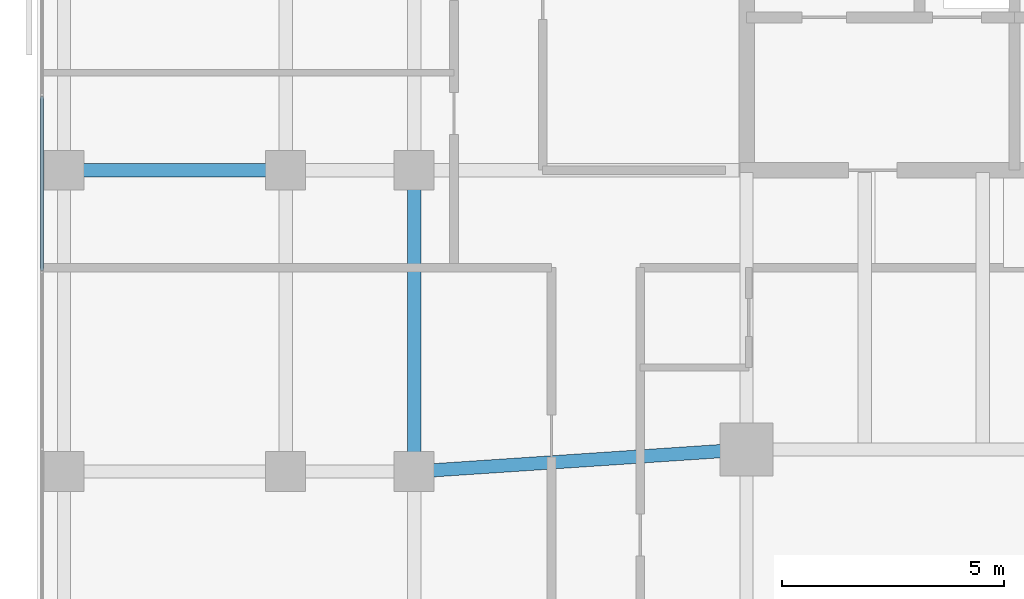
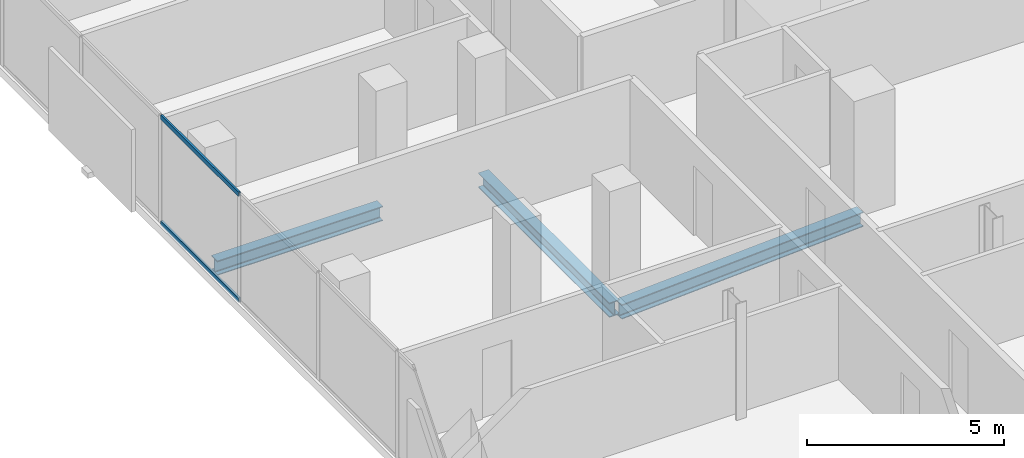
# One storey, part 10 of 34: 3 beams, 2 members, 1 element without a shape of its own.
"""IFC4 building model written with IfcOpenShell, lengths in metres."""

import ifcopenshell
import ifcopenshell.guid

model = None  # the IFC model being written
_history = None  # IfcOwnerHistory: only IFC2X3 demands one
_inside = {}  # id of a spatial element -> (the spatial element, [elements in it])
_under = {}  # id of a project, library or spatial element -> (it, [spatial elements below it])
_declared = {}  # id of a project -> (the project, [libraries it declares])
_typed = {}  # id of a type object -> (the type object, [elements of that type])
_made_of = {}  # id of a material, layer set ... -> (it, [elements and type objects made of it])


def new_model(schema):
    """Start an empty IFC model of exactly this schema.

    Asked for "IFC4X3", IfcOpenShell would pick the latest addendum, in which some entities
    have other attributes; the version numbers below select the first issue.
    IFC2X3 requires an IfcOwnerHistory on every rooted entity: one is made here for all.
    """
    global model, _history
    if schema == "IFC4X3":
        model = ifcopenshell.file(schema_version=(4, 3, 0, 0))
    else:
        model = ifcopenshell.file(schema=schema)
    _inside.clear()
    _under.clear()
    _declared.clear()
    _typed.clear()
    _made_of.clear()
    _history = None
    if model.schema == "IFC2X3":
        org = make("IfcOrganization", Name="unknown")
        user = make(
            "IfcPersonAndOrganization",
            ThePerson=make("IfcPerson", FamilyName="unknown"),
            TheOrganization=org,
        )
        app = make(
            "IfcApplication",
            ApplicationDeveloper=org,
            Version="unknown",
            ApplicationFullName="unknown",
            ApplicationIdentifier="unknown",
        )
        _history = make(
            "IfcOwnerHistory",
            OwningUser=user,
            OwningApplication=app,
            ChangeAction="ADDED",
            CreationDate=0,
        )
    return model


def make(cls, **values):
    """One entity of the class cls with the attributes given. An attribute that is None is left unset."""
    return model.create_entity(
        cls, **{name: value for name, value in values.items() if value is not None}
    )


def rooted(cls, **values):
    """An entity with a GlobalId (a new one), such as an element, a storey or a relation."""
    return make(cls, GlobalId=ifcopenshell.guid.new(), OwnerHistory=_history, **values)


def si_unit(unit_type, name, prefix=None):
    """IfcSIUnit, for example si_unit("LENGTHUNIT", "METRE", prefix="MILLI")."""
    return make("IfcSIUnit", UnitType=unit_type, Prefix=prefix, Name=name)


def assignment(units):
    """IfcUnitAssignment: the units of a project."""
    return None if units is None else make("IfcUnitAssignment", Units=units)


def point(xyz):
    """IfcCartesianPoint."""
    return None if xyz is None else make("IfcCartesianPoint", Coordinates=xyz)


def direction(xyz):
    """IfcDirection."""
    return None if xyz is None else make("IfcDirection", DirectionRatios=xyz)


def frame(location, z_axis=None, x_axis=None):
    """IfcAxis2Placement3D, a coordinate frame: its origin and axes. An axis left out is left unset."""
    return make(
        "IfcAxis2Placement3D",
        Location=point(location),
        Axis=direction(z_axis),
        RefDirection=direction(x_axis),
    )


def frame_2d(location, x_axis=None):
    """IfcAxis2Placement2D, a coordinate frame in the plane: its origin and x axis."""
    return make(
        "IfcAxis2Placement2D", Location=point(location), RefDirection=direction(x_axis)
    )


def origin():
    """The frame at (0, 0, 0) with its axes left unset."""
    return frame((0.0, 0.0, 0.0))


def origin_2d():
    """The frame at (0, 0) in the plane with its x axis left unset."""
    return frame_2d((0.0, 0.0))


def place(relative_to, where):
    """IfcLocalPlacement: puts the frame where relative to a parent placement (None: the world)."""
    return make(
        "IfcLocalPlacement", PlacementRelTo=relative_to, RelativePlacement=where
    )


def context(
    kind, dimensions, precision=None, world=None, true_north=None, identifier=None
):
    """IfcGeometricRepresentationContext, for example the 3D "Model" context."""
    return make(
        "IfcGeometricRepresentationContext",
        ContextIdentifier=identifier,
        ContextType=kind,
        CoordinateSpaceDimension=dimensions,
        Precision=precision,
        WorldCoordinateSystem=world,
        TrueNorth=true_north,
    )


def subcontext(parent, identifier, kind, view, scale=None):
    """IfcGeometricRepresentationSubContext, for example "Body" below "Model"."""
    return make(
        "IfcGeometricRepresentationSubContext",
        ContextIdentifier=identifier,
        ContextType=kind,
        ParentContext=parent,
        TargetScale=scale,
        TargetView=view,
    )


def project(units=None, contexts=None):
    """IfcProject with its units and contexts."""
    return rooted(
        "IfcProject",
        Name="project",
        RepresentationContexts=contexts,
        UnitsInContext=assignment(units),
    )


def spatial(cls, under=None, at=None, **own):
    """A site, building, storey or space (cls), placed at a placement, below another one or the project."""
    s = rooted(cls, ObjectPlacement=at, **own)
    if under is not None:
        _under.setdefault(under.id(), (under, []))[1].append(s)
    return s


def profile(cls, at=None, kind="AREA", **sizes):
    """A parametric profile (cls). Its sizes go by their IFC names, for example OverallWidth=200.0."""
    return make(cls, ProfileType=kind, Position=at, **sizes)


def hollow_rectangle(**sizes):
    """IfcRectangleHollowProfileDef."""
    return profile("IfcRectangleHollowProfileDef", **sizes)


def i_section(**sizes):
    """IfcIShapeProfileDef."""
    return profile("IfcIShapeProfileDef", **sizes)


def extrude(swept, where, along, depth):
    """IfcExtrudedAreaSolid: the profile swept, set in the frame where, extruded along a direction by depth."""
    return make(
        "IfcExtrudedAreaSolid",
        SweptArea=swept,
        Position=where,
        ExtrudedDirection=direction(along),
        Depth=depth,
    )


def shape(context_of_items, identifier, shape_type, items):
    """IfcShapeRepresentation: the items that make up one representation, for example the "Body"."""
    return make(
        "IfcShapeRepresentation",
        ContextOfItems=context_of_items,
        RepresentationIdentifier=identifier,
        RepresentationType=shape_type,
        Items=items,
    )


def material(Name=None, Category=None):
    """IfcMaterial."""
    return make("IfcMaterial", Name=Name, Category=Category)


def layer(
    of_material, thickness, ventilated=None, Name=None, Category=None, Priority=None
):
    """IfcMaterialLayer: one layer of a wall or slab, of a material (None: an air gap)."""
    return make(
        "IfcMaterialLayer",
        Material=of_material,
        LayerThickness=thickness,
        IsVentilated=ventilated,
        Name=Name,
        Category=Category,
        Priority=Priority,
    )


def layer_set(layers, Name=None):
    """IfcMaterialLayerSet."""
    return make("IfcMaterialLayerSet", MaterialLayers=layers, LayerSetName=Name)


def material_profile(
    of_material, cross_section, Name=None, Category=None, Priority=None
):
    """IfcMaterialProfile: a cross section and its material."""
    return make(
        "IfcMaterialProfile",
        Name=Name,
        Material=of_material,
        Profile=cross_section,
        Priority=Priority,
        Category=Category,
    )


def profile_set(profiles, Name=None, composite=None):
    """IfcMaterialProfileSet."""
    return make(
        "IfcMaterialProfileSet",
        Name=Name,
        MaterialProfiles=profiles,
        CompositeProfile=composite,
    )


def made_of(thing, what):
    """Note that an element or type object is made of a material, layer set ...; save() writes the relation."""
    if what is not None:
        _made_of.setdefault(what.id(), (what, []))[1].append(thing)
    return thing


def type_object(cls, material=None, **own):
    """A type object (cls), such as IfcWallType, which elements share."""
    return made_of(rooted(cls, **own), material)


def element(
    cls,
    number,
    at=None,
    inside=None,
    cuts=None,
    type_object=None,
    material=None,
    context=None,
    identifier="Body",
    shape_type=None,
    held_by="IfcProductDefinitionShape",
    body=None,
    shapes=None,
    **own,
):
    """One element of the class cls, such as IfcWall. Its Tag is "e" and its number.

    at: its placement. inside: the storey or other place that contains it. cuts: it is an
    opening in that element (IfcRelVoidsElement). A single representation is given by context,
    identifier, shape_type and body (its items); several are given by shapes. held_by: the class
    of the entity that holds the representations. save() writes the other relations.
    """
    e = rooted(cls, Tag="e%d" % number, ObjectPlacement=at, **own)
    if body is not None:
        shapes = [shape(context, identifier, shape_type, body)]
    if shapes is not None:
        e.Representation = make(held_by, Representations=shapes)
    if inside is not None:
        _inside.setdefault(inside.id(), (inside, []))[1].append(e)
    if cuts is not None:
        rooted(
            "IfcRelVoidsElement", RelatingBuildingElement=cuts, RelatedOpeningElement=e
        )
    if type_object is not None:
        _typed.setdefault(type_object.id(), (type_object, []))[1].append(e)
    return made_of(e, material)


def aggregate(whole, parts):
    """IfcRelAggregates: a whole, such as a stair, and the parts it consists of."""
    return rooted("IfcRelAggregates", RelatingObject=whole, RelatedObjects=parts)


def save(model, path):
    """Write the relations noted so far, then the file.

    IfcRelAggregates (storeys below a building ...), IfcRelContainedInSpatialStructure (elements
    in a storey), IfcRelDefinesByType, IfcRelAssociatesMaterial and IfcRelDeclares: one each for
    every whole, place, type object, material and project.
    """
    for whole, parts in _under.values():
        aggregate(whole, parts)
    for where, things in _inside.values():
        rooted(
            "IfcRelContainedInSpatialStructure",
            RelatedElements=things,
            RelatingStructure=where,
        )
    for kind, things in _typed.values():
        rooted("IfcRelDefinesByType", RelatedObjects=things, RelatingType=kind)
    for what, things in _made_of.values():
        rooted("IfcRelAssociatesMaterial", RelatedObjects=things, RelatingMaterial=what)
    for by, libraries in _declared.values():
        rooted("IfcRelDeclares", RelatingContext=by, RelatedDefinitions=libraries)
    model.write(path)


model = new_model("IFC4")

# Units and contexts
model_context = context("Model", 3, precision=1e-05, world=origin(), true_north=direction((0.0, 1.0)))
body_context = subcontext(model_context, "Body", "Model", "MODEL_VIEW")
ifc_project = project(units=[si_unit("LENGTHUNIT", "METRE"), si_unit("AREAUNIT", "SQUARE_METRE"), si_unit("VOLUMEUNIT", "CUBIC_METRE"), si_unit("PLANEANGLEUNIT", "RADIAN"), si_unit("MASSUNIT", "GRAM", prefix="KILO")], contexts=[model_context])

# Site, building, storey
site_placement = place(None, origin())
site = spatial("IfcSite", under=ifc_project, at=site_placement, CompositionType="ELEMENT")
building_placement = place(site_placement, origin())
building = spatial("IfcBuilding", under=site, at=building_placement, Name="Catumbela Crestline Tower", CompositionType="ELEMENT")
storey_placement = place(building_placement, frame((0.0, 0.0, 115.2)))
storey = spatial("IfcBuildingStorey", under=building, at=storey_placement, Name="L29", CompositionType="ELEMENT", Elevation=115.2)

# Beams
ifc_material_1 = material(Name="Structural steel S355J2", Category="steel")
ifc_material_profile_1 = material_profile(ifc_material_1, i_section(OverallWidth=0.3, OverallDepth=0.45, WebThickness=0.014, FlangeThickness=0.026, FilletRadius=0.027, at=origin_2d()), Name="HEB 450")
ifc_profile_set_1 = profile_set([ifc_material_profile_1], Name="Structural steel S355J2")
beam_type = type_object("IfcBeamType", Name="BG-HEB450", PredefinedType="BEAM", material=ifc_profile_set_1)
beam_1_placement = place(storey_placement, frame((8.5798, 24.0053, -0.485), z_axis=(0.997784796964, 0.066524423687, 0.0), x_axis=(-0.066524423687, 0.997784796964, 0.0)))
element("IfcBeam", 1, at=beam_1_placement, inside=storey, type_object=beam_type, Name="L29 Beam BM-L29-S03", PredefinedType="BEAM", context=body_context, shape_type="SweptSolid", body=[
    extrude(i_section(OverallWidth=0.3, OverallDepth=0.45, WebThickness=0.014, FlangeThickness=0.026, FilletRadius=0.027, at=origin_2d()), origin(), (0.0, 0.0, 1.0), 7.3567),
])
beam_2_placement = place(storey_placement, frame((0.68, 30.8, -0.485), z_axis=(1.0, 0.0, 0.0), x_axis=(0.0, 1.0, 0.0)))
element("IfcBeam", 2, at=beam_2_placement, inside=storey, type_object=beam_type, Name="L29 Beam BM-L29-M07", PredefinedType="BEAM", context=body_context, shape_type="SweptSolid", body=[
    extrude(i_section(OverallWidth=0.3, OverallDepth=0.45, WebThickness=0.014, FlangeThickness=0.026, FilletRadius=0.027, at=origin_2d()), origin(), (0.0, 0.0, 1.0), 4.84),
])
beam_3_placement = place(storey_placement, frame((8.5, 24.08, -0.485), z_axis=(0.0, 1.0, 0.0), x_axis=(-1.0, 0.0, 0.0)))
element("IfcBeam", 3, at=beam_3_placement, inside=storey, type_object=beam_type, Name="L29 Beam BM-L29-SN26", PredefinedType="BEAM", context=body_context, shape_type="SweptSolid", body=[
    extrude(i_section(OverallWidth=0.3, OverallDepth=0.45, WebThickness=0.014, FlangeThickness=0.026, FilletRadius=0.027, at=origin_2d()), origin(), (0.0, 0.0, 1.0), 6.64),
])

# Curtain wall, members
ifc_material_2 = material(Name="Aluminium alloy AW-6060-T66", Category="aluminium")
ifc_layer = layer(ifc_material_2, 0.18, Name="Aluminium alloy AW-6060-T66")
ifc_layer_set = layer_set([ifc_layer], Name="Aluminium alloy AW-6060-T66")
curtain_wall_type = type_object("IfcCurtainWallType", Name="CWU-Z2", PredefinedType="USERDEFINED", material=ifc_layer_set)
curtain_wall_placement = place(storey_placement, origin())
curtain_wall = element("IfcCurtainWall", 4, at=curtain_wall_placement, inside=storey, type_object=curtain_wall_type, Name="L29 Unitised Curtain Wall CW-L29-E9S1", ObjectType="UNITISED", PredefinedType="USERDEFINED")
ifc_material_profile_2 = material_profile(ifc_material_2, hollow_rectangle(XDim=0.06, YDim=0.14, WallThickness=0.004, at=origin_2d()), Name="ALU 140x60x4")
ifc_profile_set_2 = profile_set([ifc_material_profile_2], Name="Aluminium alloy AW-6060-T66")
member_type = type_object("IfcMemberType", Name="TRN-140X60", PredefinedType="USERDEFINED", material=ifc_profile_set_2)
member_1_placement = place(storey_placement, frame((0.1, 32.4675, 0.03), z_axis=(0.0, -1.0, 0.0), x_axis=(1.0, 0.0, 0.0)))
member_1 = element("IfcMember", 5, at=member_1_placement, type_object=member_type, Name="CWU-Z2 transom 4.1", ObjectType="TRANSOM", PredefinedType="USERDEFINED", context=body_context, shape_type="SweptSolid", body=[
    extrude(hollow_rectangle(XDim=0.06, YDim=0.14, WallThickness=0.004, at=origin_2d()), origin(), (0.0, 0.0, 1.0), 3.935),
])
member_2_placement = place(storey_placement, frame((0.1, 32.4675, 3.3), z_axis=(0.0, -1.0, 0.0), x_axis=(1.0, 0.0, 0.0)))
member_2 = element("IfcMember", 6, at=member_2_placement, type_object=member_type, Name="CWU-Z2 transom 4.2", ObjectType="TRANSOM", PredefinedType="USERDEFINED", context=body_context, shape_type="SweptSolid", body=[
    extrude(hollow_rectangle(XDim=0.06, YDim=0.14, WallThickness=0.004, at=origin_2d()), origin(), (0.0, 0.0, 1.0), 3.935),
])
aggregate(curtain_wall, [member_1, member_2])

save(model, "model.ifc")
